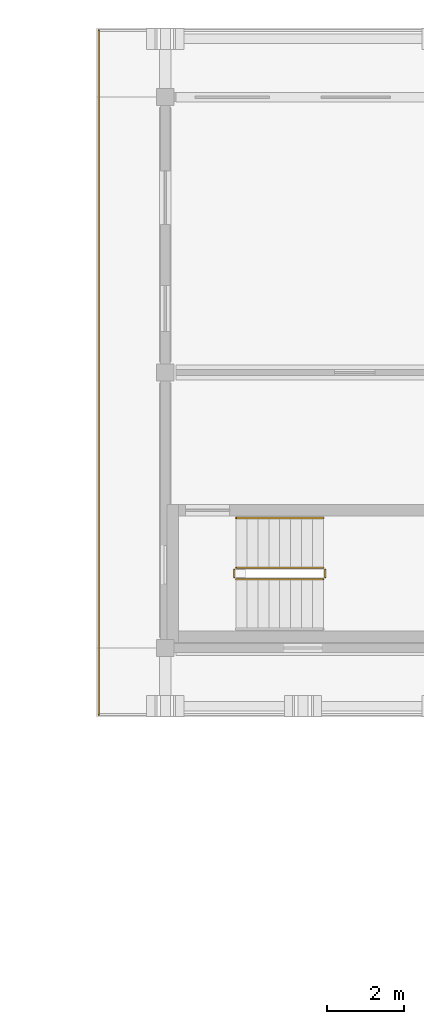
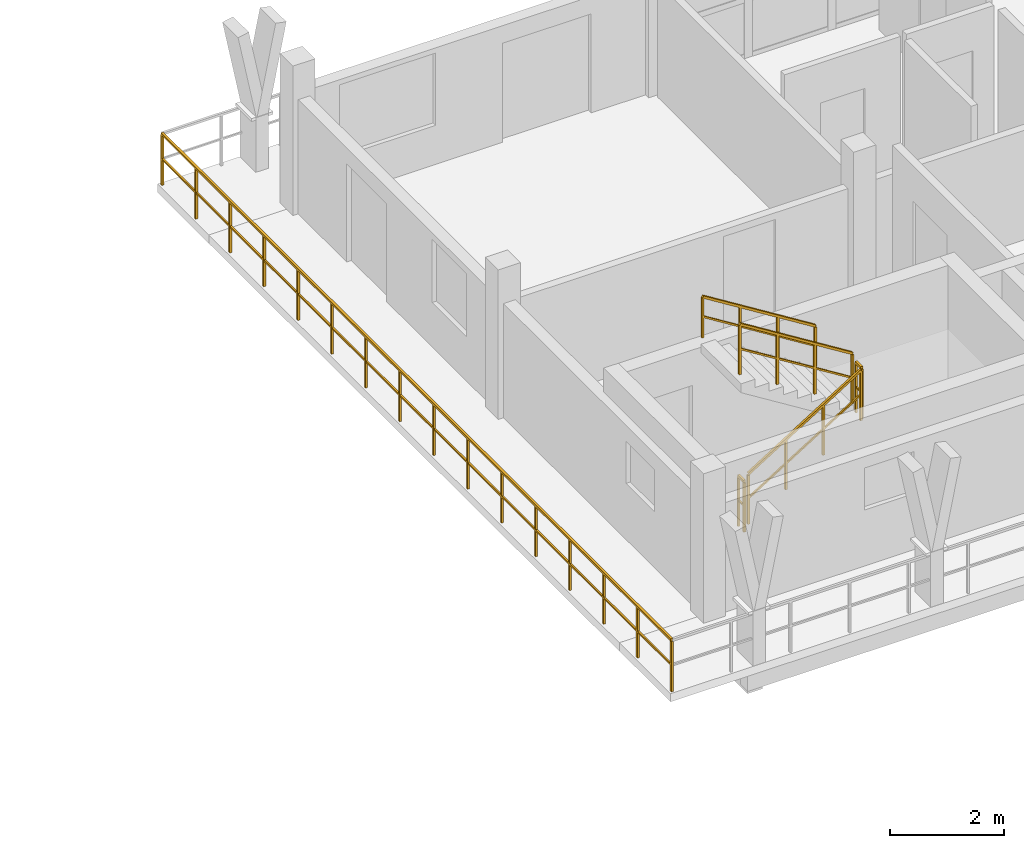
# One storey, part 53 of 56: 6 railings.
"""IFC4 building model written with IfcOpenShell, lengths in metres."""

from ifc_helpers import new_model, si_unit, direction, frame, origin, origin_2d, place, context, subcontext, project, spatial, rectangle, extrude, material, type_object, element, save


model = new_model("IFC4")

# Units and contexts
model_context = context("Model", 3, precision=1e-05, world=origin(), true_north=direction((0.0, 1.0)))
body_context = subcontext(model_context, "Body", "Model", "MODEL_VIEW")
ifc_project = project(units=[si_unit("LENGTHUNIT", "METRE"), si_unit("AREAUNIT", "SQUARE_METRE"), si_unit("VOLUMEUNIT", "CUBIC_METRE"), si_unit("PLANEANGLEUNIT", "RADIAN"), si_unit("MASSUNIT", "GRAM", prefix="KILO")], contexts=[model_context])

# Site, building, storey
site_placement = place(None, origin())
site = spatial("IfcSite", under=ifc_project, at=site_placement, CompositionType="ELEMENT")
building_placement = place(site_placement, origin())
building = spatial("IfcBuilding", under=site, at=building_placement, Name="Suanplinth Sawtooth Commons", CompositionType="ELEMENT")
storey_placement = place(building_placement, frame((0.0, 0.0, 34.800048828125)))
storey = spatial("IfcBuildingStorey", under=building, at=storey_placement, Name="L10", CompositionType="ELEMENT", Elevation=34.800048828125)

# Railings
ifc_material_1 = material(Name="Powder-coated galvanized steel", Category="steel")
railing_type_1 = type_object("IfcRailingType", Name="GR-01", PredefinedType="BALUSTRADE", material=ifc_material_1)
railing_1_placement = place(storey_placement, frame((135.06005859375, 106.260009765625, 0.0)))
element("IfcRailing", 1, at=railing_1_placement, inside=storey, type_object=railing_type_1, Name="L10 Block B Perimeter Balustrade 3", PredefinedType="BALUSTRADE", context=body_context, shape_type="SweptSolid", body=[
    extrude(rectangle(XDim=0.048095703125, YDim=0.048095703125, at=origin_2d()), frame((0.0, 0.0, 1.09619140625), z_axis=(0.0, 1.0, 0.0), x_axis=(-1.0, 0.0, 0.0)), (0.0, 0.0, 1.0), 17.8798828125),
    extrude(rectangle(XDim=0.03369140625, YDim=0.03369140625, at=origin_2d()), frame((0.0, 0.0, 0.56005859375), z_axis=(0.0, 1.0, 0.0), x_axis=(-1.0, 0.0, 0.0)), (0.0, 0.0, 1.0), 17.8798828125),
    extrude(rectangle(XDim=0.0419921875, YDim=0.0419921875, at=origin_2d()), origin(), (0.0, 0.0, 1.0), 1.072021484375),
    extrude(rectangle(XDim=0.0419921875, YDim=0.0419921875, at=origin_2d()), frame((0.0, 1.19189453125, 0.0)), (0.0, 0.0, 1.0), 1.072021484375),
    extrude(rectangle(XDim=0.0419921875, YDim=0.0419921875, at=origin_2d()), frame((0.0, 2.384033203125, 0.0)), (0.0, 0.0, 1.0), 1.072021484375),
    extrude(rectangle(XDim=0.0419921875, YDim=0.0419921875, at=origin_2d()), frame((0.0, 3.575927734375, 0.0)), (0.0, 0.0, 1.0), 1.072021484375),
    extrude(rectangle(XDim=0.0419921875, YDim=0.0419921875, at=origin_2d()), frame((0.0, 4.76806640625, 0.0)), (0.0, 0.0, 1.0), 1.072021484375),
    extrude(rectangle(XDim=0.0419921875, YDim=0.0419921875, at=origin_2d()), frame((0.0, 5.9599609375, 0.0)), (0.0, 0.0, 1.0), 1.072021484375),
    extrude(rectangle(XDim=0.0419921875, YDim=0.0419921875, at=origin_2d()), frame((0.0, 7.15185546875, 0.0)), (0.0, 0.0, 1.0), 1.072021484375),
    extrude(rectangle(XDim=0.0419921875, YDim=0.0419921875, at=origin_2d()), frame((0.0, 8.343994140625, 0.0)), (0.0, 0.0, 1.0), 1.072021484375),
    extrude(rectangle(XDim=0.0419921875, YDim=0.0419921875, at=origin_2d()), frame((0.0, 9.535888671875, 0.0)), (0.0, 0.0, 1.0), 1.072021484375),
    extrude(rectangle(XDim=0.0419921875, YDim=0.0419921875, at=origin_2d()), frame((0.0, 10.72802734375, 0.0)), (0.0, 0.0, 1.0), 1.072021484375),
    extrude(rectangle(XDim=0.0419921875, YDim=0.0419921875, at=origin_2d()), frame((0.0, 11.919921875, 0.0)), (0.0, 0.0, 1.0), 1.072021484375),
    extrude(rectangle(XDim=0.0419921875, YDim=0.0419921875, at=origin_2d()), frame((0.0, 13.11181640625, 0.0)), (0.0, 0.0, 1.0), 1.072021484375),
    extrude(rectangle(XDim=0.0419921875, YDim=0.0419921875, at=origin_2d()), frame((0.0, 14.303955078125, 0.0)), (0.0, 0.0, 1.0), 1.072021484375),
    extrude(rectangle(XDim=0.0419921875, YDim=0.0419921875, at=origin_2d()), frame((0.0, 15.495849609375, 0.0)), (0.0, 0.0, 1.0), 1.072021484375),
    extrude(rectangle(XDim=0.0419921875, YDim=0.0419921875, at=origin_2d()), frame((0.0, 16.68798828125, 0.0)), (0.0, 0.0, 1.0), 1.072021484375),
    extrude(rectangle(XDim=0.0419921875, YDim=0.0419921875, at=origin_2d()), frame((0.0, 17.8798828125, 0.0)), (0.0, 0.0, 1.0), 1.072021484375),
])
ifc_material_2 = material(Name="Stainless steel Grade 304", Category="steel")
railing_type_2 = type_object("IfcRailingType", Name="GR-04", PredefinedType="GUARDRAIL", material=ifc_material_2)
railing_2_placement = place(storey_placement, frame((138.64990234375, 109.800048828125, 0.177734375)))
element("IfcRailing", 2, at=railing_2_placement, inside=storey, type_object=railing_type_2, Name="L10 ST-E1 Guard 1", PredefinedType="GUARDRAIL", context=body_context, shape_type="SweptSolid", body=[
    extrude(rectangle(XDim=0.048095703125, YDim=0.048095703125, at=origin_2d()), frame((0.0, 0.0, 1.076171875), z_axis=(0.848482842525, 0.0, 0.529222888715), x_axis=(0.0, 1.0, 0.0)), (0.0, 0.0, 1.0), 2.687255859375),
    extrude(rectangle(XDim=0.03369140625, YDim=0.03369140625, at=origin_2d()), frame((0.0, 0.0, 0.550048828125), z_axis=(0.848482842525, 0.0, 0.529222888715), x_axis=(0.0, 1.0, 0.0)), (0.0, 0.0, 1.0), 2.687255859375),
    extrude(rectangle(XDim=0.0419921875, YDim=0.0419921875, at=origin_2d()), origin(), (0.0, 0.0, 1.0), 1.052001953125),
    extrude(rectangle(XDim=0.0419921875, YDim=0.0419921875, at=origin_2d()), frame((0.760009765625, 0.0, 0.47412109375)), (0.0, 0.0, 1.0), 1.052001953125),
    extrude(rectangle(XDim=0.0419921875, YDim=0.0419921875, at=origin_2d()), frame((1.52001953125, 0.0, 0.947998046875)), (0.0, 0.0, 1.0), 1.052001953125),
    extrude(rectangle(XDim=0.0419921875, YDim=0.0419921875, at=origin_2d()), frame((2.280029296875, 0.0, 1.422119140625)), (0.0, 0.0, 1.0), 1.052001953125),
])
railing_3_placement = place(storey_placement, frame((140.97998046875, 109.85009765625, 1.599853515625)))
element("IfcRailing", 3, at=railing_3_placement, inside=storey, type_object=railing_type_2, Name="L10 ST-E1 Guard 2", PredefinedType="GUARDRAIL", context=body_context, shape_type="SweptSolid", body=[
    extrude(rectangle(XDim=0.048095703125, YDim=0.048095703125, at=origin_2d()), frame((0.0, 0.0, 1.076171875), z_axis=(0.0, 1.0, 0.0), x_axis=(-1.0, 0.0, 0.0)), (0.0, 0.0, 1.0), 0.199951171875),
    extrude(rectangle(XDim=0.03369140625, YDim=0.03369140625, at=origin_2d()), frame((0.0, 0.0, 0.550048828125), z_axis=(0.0, 1.0, 0.0), x_axis=(-1.0, 0.0, 0.0)), (0.0, 0.0, 1.0), 0.199951171875),
    extrude(rectangle(XDim=0.0419921875, YDim=0.0419921875, at=origin_2d()), origin(), (0.0, 0.0, 1.0), 1.052001953125),
    extrude(rectangle(XDim=0.0419921875, YDim=0.0419921875, at=origin_2d()), frame((0.0, 0.199951171875, 0.0)), (0.0, 0.0, 1.0), 1.052001953125),
])
railing_4_placement = place(storey_placement, frame((140.929931640625, 110.10009765625, 1.77783203125)))
element("IfcRailing", 4, at=railing_4_placement, inside=storey, type_object=railing_type_2, Name="L10 ST-E1 Guard 3", PredefinedType="GUARDRAIL", context=body_context, shape_type="SweptSolid", body=[
    extrude(rectangle(XDim=0.048095703125, YDim=0.048095703125, at=origin_2d()), frame((0.0, 0.0, 1.076171875), z_axis=(-0.848482842525, 0.0, 0.529222888715), x_axis=(0.0, -1.0, 0.0)), (0.0, 0.0, 1.0), 2.687255859375),
    extrude(rectangle(XDim=0.03369140625, YDim=0.03369140625, at=origin_2d()), frame((0.0, 0.0, 0.550048828125), z_axis=(-0.848482842525, 0.0, 0.529222888715), x_axis=(0.0, -1.0, 0.0)), (0.0, 0.0, 1.0), 2.687255859375),
    extrude(rectangle(XDim=0.0419921875, YDim=0.0419921875, at=origin_2d()), origin(), (0.0, 0.0, 1.0), 1.052001953125),
    extrude(rectangle(XDim=0.0419921875, YDim=0.0419921875, at=origin_2d()), frame((-0.760009765625, 0.0, 0.47412109375)), (0.0, 0.0, 1.0), 1.052001953125),
    extrude(rectangle(XDim=0.0419921875, YDim=0.0419921875, at=origin_2d()), frame((-1.52001953125, 0.0, 0.947998046875)), (0.0, 0.0, 1.0), 1.052001953125),
    extrude(rectangle(XDim=0.0419921875, YDim=0.0419921875, at=origin_2d()), frame((-2.280029296875, 0.0, 1.422119140625)), (0.0, 0.0, 1.0), 1.052001953125),
])
railing_5_placement = place(storey_placement, frame((138.60009765625, 109.85009765625, 0.0)))
element("IfcRailing", 5, at=railing_5_placement, inside=storey, type_object=railing_type_2, Name="L10 ST-E1 Guard 4", PredefinedType="GUARDRAIL", context=body_context, shape_type="SweptSolid", body=[
    extrude(rectangle(XDim=0.048095703125, YDim=0.048095703125, at=origin_2d()), frame((0.0, 0.0, 1.076171875), z_axis=(0.0, 1.0, 0.0), x_axis=(-1.0, 0.0, 0.0)), (0.0, 0.0, 1.0), 0.199951171875),
    extrude(rectangle(XDim=0.03369140625, YDim=0.03369140625, at=origin_2d()), frame((0.0, 0.0, 0.550048828125), z_axis=(0.0, 1.0, 0.0), x_axis=(-1.0, 0.0, 0.0)), (0.0, 0.0, 1.0), 0.199951171875),
    extrude(rectangle(XDim=0.0419921875, YDim=0.0419921875, at=origin_2d()), origin(), (0.0, 0.0, 1.0), 1.052001953125),
    extrude(rectangle(XDim=0.0419921875, YDim=0.0419921875, at=origin_2d()), frame((0.0, 0.199951171875, 0.0)), (0.0, 0.0, 1.0), 1.052001953125),
])
railing_type_3 = type_object("IfcRailingType", Name="HR-01", PredefinedType="HANDRAIL", material=ifc_material_2)
railing_6_placement = place(storey_placement, frame((140.929931640625, 111.39990234375, 1.77783203125)))
element("IfcRailing", 6, at=railing_6_placement, inside=storey, type_object=railing_type_3, Name="L10 ST-E1 Handrail 2", PredefinedType="HANDRAIL", context=body_context, shape_type="SweptSolid", body=[
    extrude(rectangle(XDim=0.048095703125, YDim=0.048095703125, at=origin_2d()), frame((0.0, 0.0, 0.8759765625), z_axis=(-0.848482842525, 0.0, 0.529222888715), x_axis=(0.0, -1.0, 0.0)), (0.0, 0.0, 1.0), 2.687255859375),
    extrude(rectangle(XDim=0.03369140625, YDim=0.03369140625, at=origin_2d()), frame((0.0, 0.0, 0.449951171875), z_axis=(-0.848482842525, 0.0, 0.529222888715), x_axis=(0.0, -1.0, 0.0)), (0.0, 0.0, 1.0), 2.687255859375),
    extrude(rectangle(XDim=0.0419921875, YDim=0.0419921875, at=origin_2d()), origin(), (0.0, 0.0, 1.0), 0.851806640625),
    extrude(rectangle(XDim=0.0419921875, YDim=0.0419921875, at=origin_2d()), frame((-0.760009765625, 0.0, 0.47412109375)), (0.0, 0.0, 1.0), 0.851806640625),
    extrude(rectangle(XDim=0.0419921875, YDim=0.0419921875, at=origin_2d()), frame((-1.52001953125, 0.0, 0.947998046875)), (0.0, 0.0, 1.0), 0.851806640625),
    extrude(rectangle(XDim=0.0419921875, YDim=0.0419921875, at=origin_2d()), frame((-2.280029296875, 0.0, 1.422119140625)), (0.0, 0.0, 1.0), 0.851806640625),
])

save(model, "model.ifc")
